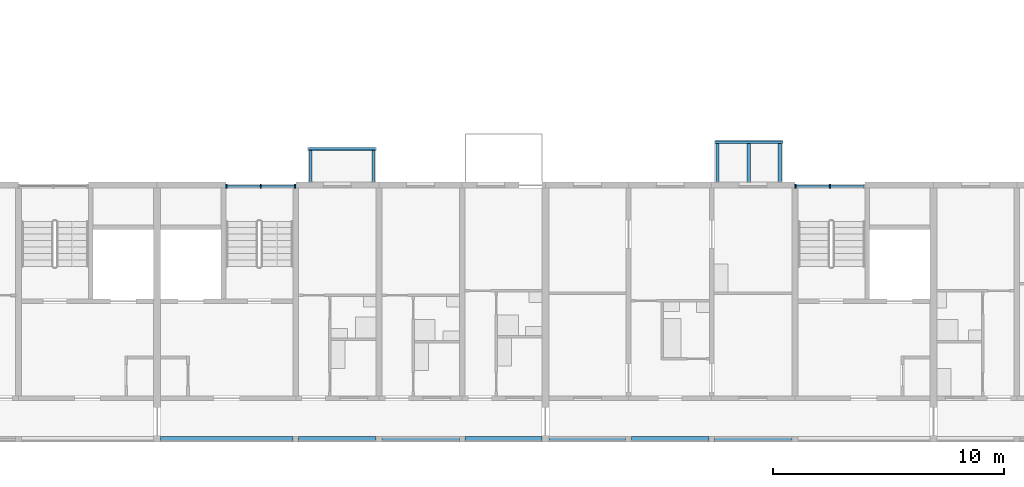
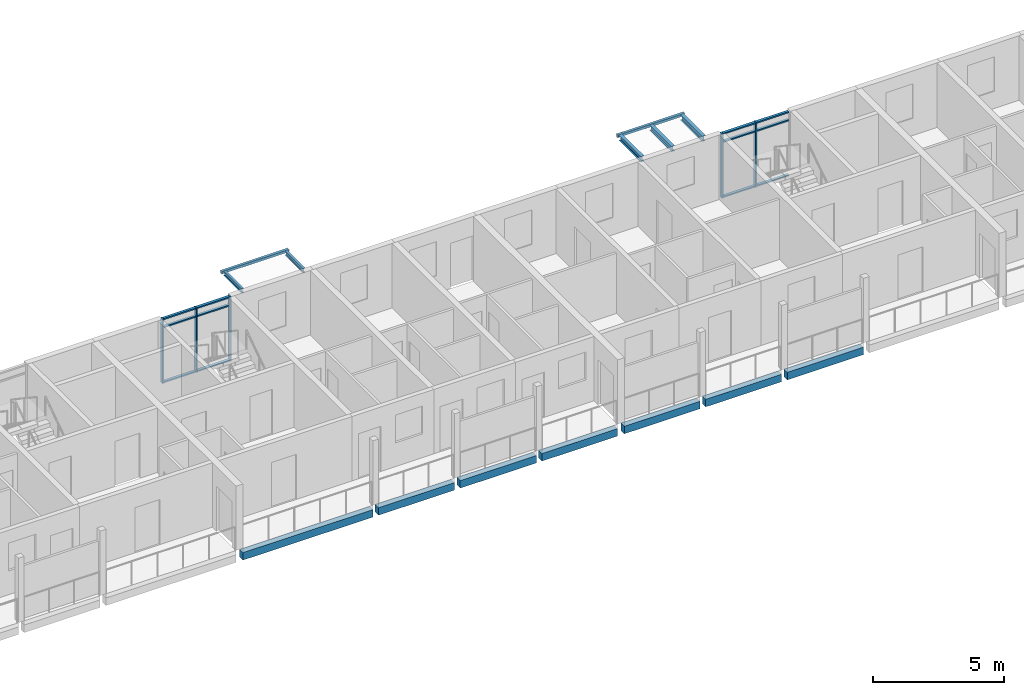
# One storey, part 6 of 99: 17 members, 14 beams, 2 elements without a shape of their own.
"""IFC4 building model written with IfcOpenShell, lengths in metres."""

from ifc_helpers import new_model, si_unit, direction, frame, origin, origin_2d, place, context, subcontext, project, spatial, rectangle, hollow_rectangle, i_section, extrude, material, material_profile, profile_set, type_object, element, aggregate, save


model = new_model("IFC4")

# Units and contexts
model_context = context("Model", 3, precision=1e-05, world=origin(), true_north=direction((0.0, 1.0)))
body_context = subcontext(model_context, "Body", "Model", "MODEL_VIEW")
ifc_project = project(units=[si_unit("LENGTHUNIT", "METRE"), si_unit("AREAUNIT", "SQUARE_METRE"), si_unit("VOLUMEUNIT", "CUBIC_METRE"), si_unit("PLANEANGLEUNIT", "RADIAN"), si_unit("MASSUNIT", "GRAM", prefix="KILO")], contexts=[model_context])

# Site, building, storey
site_placement = place(None, origin())
site = spatial("IfcSite", under=ifc_project, at=site_placement, CompositionType="ELEMENT")
building_placement = place(site_placement, origin())
building = spatial("IfcBuilding", under=site, at=building_placement, Name="Ridgestep Commons", CompositionType="ELEMENT")
storey_placement = place(building_placement, frame((0.0, 0.0, 15.0)))
storey = spatial("IfcBuildingStorey", under=building, at=storey_placement, Name="L05", CompositionType="ELEMENT", Elevation=15.0)

# Beams
ifc_material_1 = material(Name="Precast concrete C40/50", Category="concrete")
ifc_material_profile_1 = material_profile(ifc_material_1, rectangle(XDim=0.25, YDim=0.35009765625, at=origin_2d()), Name="PC 250x350")
ifc_profile_set_1 = profile_set([ifc_material_profile_1], Name="Precast concrete C40/50")
beam_type_1 = type_object("IfcBeamType", Name="Loggia edge beam 250 x 350", PredefinedType="SPANDREL", material=ifc_profile_set_1)
beam_1_placement = place(storey_placement, frame((45.75, 11.875, -0.375), z_axis=(1.0, 0.0, 0.0), x_axis=(0.0, 1.0, 0.0)))
element("IfcBeam", 1, at=beam_1_placement, inside=storey, type_object=beam_type_1, Name="Loggia edge beam A3C L05", PredefinedType="SPANDREL", context=body_context, shape_type="SweptSolid", body=[
    extrude(rectangle(XDim=0.25, YDim=0.35009765625, at=origin_2d()), origin(), (0.0, 0.0, 1.0), 5.72509765625),
])
beam_2_placement = place(storey_placement, frame((51.72509765625, 11.875, -0.375), z_axis=(1.0, 0.0, 0.0), x_axis=(0.0, 1.0, 0.0)))
element("IfcBeam", 2, at=beam_2_placement, inside=storey, type_object=beam_type_1, Name="Loggia edge beam A3T3 L05", PredefinedType="SPANDREL", context=body_context, shape_type="SweptSolid", body=[
    extrude(rectangle(XDim=0.25, YDim=0.35009765625, at=origin_2d()), origin(), (0.0, 0.0, 1.0), 3.349853515625),
])
beam_3_placement = place(storey_placement, frame((55.324951171875, 11.875, -0.375), z_axis=(1.0, 0.0, 0.0), x_axis=(0.0, 1.0, 0.0)))
element("IfcBeam", 3, at=beam_3_placement, inside=storey, type_object=beam_type_1, Name="Loggia edge beam A3T2 L05", PredefinedType="SPANDREL", context=body_context, shape_type="SweptSolid", body=[
    extrude(rectangle(XDim=0.25, YDim=0.35009765625, at=origin_2d()), origin(), (0.0, 0.0, 1.0), 3.35009765625),
])
for number, where, z_axis, x_axis, name in (
    (4, (58.925048828125, 11.875, -0.375), (1.0, 0.0, 0.0), (0.0, 1.0, 0.0), "Loggia edge beam A3T1 L05"),
    (5, (62.550048828125, 11.875, -0.375), (1.0, 0.0, 0.0), (0.0, 1.0, 0.0), "Loggia edge beam A4T1 L05"),
):
    element("IfcBeam", number, at=place(storey_placement, frame(where, z_axis=z_axis, x_axis=x_axis)), inside=storey, type_object=beam_type_1, Name=name, PredefinedType="SPANDREL", context=body_context, shape_type="SweptSolid", body=[
        extrude(rectangle(XDim=0.25, YDim=0.35009765625, at=origin_2d()), origin(), (0.0, 0.0, 1.0), 3.324951171875),
    ])
beam_4_placement = place(storey_placement, frame((66.125, 11.875, -0.375), z_axis=(1.0, 0.0, 0.0), x_axis=(0.0, 1.0, 0.0)))
element("IfcBeam", 6, at=beam_4_placement, inside=storey, type_object=beam_type_1, Name="Loggia edge beam A4T2 L05", PredefinedType="SPANDREL", context=body_context, shape_type="SweptSolid", body=[
    extrude(rectangle(XDim=0.25, YDim=0.35009765625, at=origin_2d()), origin(), (0.0, 0.0, 1.0), 3.35009765625),
])
beam_5_placement = place(storey_placement, frame((69.72509765625, 11.875, -0.375), z_axis=(1.0, 0.0, 0.0), x_axis=(0.0, 1.0, 0.0)))
element("IfcBeam", 7, at=beam_5_placement, inside=storey, type_object=beam_type_1, Name="Loggia edge beam A4T3 L05", PredefinedType="SPANDREL", context=body_context, shape_type="SweptSolid", body=[
    extrude(rectangle(XDim=0.25, YDim=0.35009765625, at=origin_2d()), origin(), (0.0, 0.0, 1.0), 3.349853515625),
])

# Curtain wall, members
ifc_material_2 = material(Name="Aluminium 6063-T6 and glass", Category="aluminium")
curtain_wall_type = type_object("IfcCurtainWallType", Name="Curtain wall stair strip", PredefinedType="NOTDEFINED", material=ifc_material_2)
curtain_wall_1_placement = place(storey_placement, origin())
curtain_wall_1 = element("IfcCurtainWall", 8, at=curtain_wall_1_placement, inside=storey, type_object=curtain_wall_type, Name="Curtain wall A3C level 05", PredefinedType="NOTDEFINED")
ifc_material_3 = material(Name="Aluminium 6063-T6", Category="aluminium")
ifc_material_profile_2 = material_profile(ifc_material_3, rectangle(XDim=0.159912109375, YDim=0.06005859375, at=origin_2d()), Name="Mullion 60 x 160")
ifc_profile_set_2 = profile_set([ifc_material_profile_2], Name="Aluminium 6063-T6")
member_type_1 = type_object("IfcMemberType", Name="Mullion 60 x 160", PredefinedType="MULLION", material=ifc_profile_set_2)
member_1_placement = place(storey_placement, frame((48.60498046875, 22.830078125, 0.0), z_axis=(0.0, 0.0, 1.0), x_axis=(0.0, 1.0, 0.0)))
member_1 = element("IfcMember", 9, at=member_1_placement, type_object=member_type_1, Name="CW1 mullion 1", PredefinedType="MULLION", context=body_context, shape_type="SweptSolid", body=[
    extrude(rectangle(XDim=0.159912109375, YDim=0.06005859375, at=origin_2d()), origin(), (0.0, 0.0, 1.0), 3.0),
])
member_2_placement = place(storey_placement, frame((50.08740234375, 22.830078125, 0.0), z_axis=(0.0, 0.0, 1.0), x_axis=(0.0, 1.0, 0.0)))
member_2 = element("IfcMember", 10, at=member_2_placement, type_object=member_type_1, Name="CW1 mullion 2", PredefinedType="MULLION", context=body_context, shape_type="SweptSolid", body=[
    extrude(rectangle(XDim=0.159912109375, YDim=0.06005859375, at=origin_2d()), origin(), (0.0, 0.0, 1.0), 3.0),
])
member_3_placement = place(storey_placement, frame((51.570068359375, 22.830078125, 0.0), z_axis=(0.0, 0.0, 1.0), x_axis=(0.0, 1.0, 0.0)))
member_3 = element("IfcMember", 11, at=member_3_placement, type_object=member_type_1, Name="CW1 mullion 3", PredefinedType="MULLION", context=body_context, shape_type="SweptSolid", body=[
    extrude(rectangle(XDim=0.159912109375, YDim=0.06005859375, at=origin_2d()), origin(), (0.0, 0.0, 1.0), 3.0),
])

curtain_wall_2_placement = place(storey_placement, origin())
curtain_wall_2 = element("IfcCurtainWall", 12, at=curtain_wall_2_placement, inside=storey, type_object=curtain_wall_type, Name="Curtain wall A4C level 05", PredefinedType="NOTDEFINED")
member_4_placement = place(storey_placement, frame((73.22998046875, 22.830078125, 0.0), z_axis=(0.0, 0.0, 1.0), x_axis=(0.0, 1.0, 0.0)))
member_4 = element("IfcMember", 13, at=member_4_placement, type_object=member_type_1, Name="CW1 mullion 1", PredefinedType="MULLION", context=body_context, shape_type="SweptSolid", body=[
    extrude(rectangle(XDim=0.159912109375, YDim=0.06005859375, at=origin_2d()), origin(), (0.0, 0.0, 1.0), 3.0),
])
member_5_placement = place(storey_placement, frame((74.71240234375, 22.830078125, 0.0), z_axis=(0.0, 0.0, 1.0), x_axis=(0.0, 1.0, 0.0)))
member_5 = element("IfcMember", 14, at=member_5_placement, type_object=member_type_1, Name="CW1 mullion 2", PredefinedType="MULLION", context=body_context, shape_type="SweptSolid", body=[
    extrude(rectangle(XDim=0.159912109375, YDim=0.06005859375, at=origin_2d()), origin(), (0.0, 0.0, 1.0), 3.0),
])

# Member
ifc_material_4 = material(Name="Aluminium 6063-T6", Category="aluminium")
ifc_material_profile_3 = material_profile(ifc_material_4, rectangle(XDim=0.1201171875, YDim=0.06005859375, at=origin_2d()), Name="Transom 60 x 120")
ifc_profile_set_3 = profile_set([ifc_material_profile_3], Name="Aluminium 6063-T6")
member_type_2 = type_object("IfcMemberType", Name="Transom 60 x 120", PredefinedType="USERDEFINED", material=ifc_profile_set_3)
member_6_placement = place(storey_placement, frame((48.635009765625, 22.830078125, 0.030029296875), z_axis=(1.0, 0.0, 0.0), x_axis=(0.0, 1.0, 0.0)))
member_6 = element("IfcMember", 15, at=member_6_placement, type_object=member_type_2, Name="CW1 transom 1.1", ObjectType="TRANSOM", PredefinedType="USERDEFINED", context=body_context, shape_type="SweptSolid", body=[
    extrude(rectangle(XDim=0.1201171875, YDim=0.06005859375, at=origin_2d()), origin(), (0.0, 0.0, 1.0), 1.422607421875),
])

member_7_placement = place(storey_placement, frame((48.635009765625, 22.830078125, 2.590087890625), z_axis=(1.0, 0.0, 0.0), x_axis=(0.0, 1.0, 0.0)))
member_7 = element("IfcMember", 16, at=member_7_placement, type_object=member_type_2, Name="CW1 transom 1.2", ObjectType="TRANSOM", PredefinedType="USERDEFINED", context=body_context, shape_type="SweptSolid", body=[
    extrude(rectangle(XDim=0.1201171875, YDim=0.06005859375, at=origin_2d()), origin(), (0.0, 0.0, 1.0), 1.422607421875),
])

member_8_placement = place(storey_placement, frame((48.635009765625, 22.830078125, 2.969970703125), z_axis=(1.0, 0.0, 0.0), x_axis=(0.0, 1.0, 0.0)))
member_8 = element("IfcMember", 17, at=member_8_placement, type_object=member_type_2, Name="CW1 transom 1.3", ObjectType="TRANSOM", PredefinedType="USERDEFINED", context=body_context, shape_type="SweptSolid", body=[
    extrude(rectangle(XDim=0.1201171875, YDim=0.06005859375, at=origin_2d()), origin(), (0.0, 0.0, 1.0), 1.422607421875),
])

member_9_placement = place(storey_placement, frame((50.117431640625, 22.830078125, 0.030029296875), z_axis=(1.0, 0.0, 0.0), x_axis=(0.0, 1.0, 0.0)))
member_9 = element("IfcMember", 18, at=member_9_placement, type_object=member_type_2, Name="CW1 transom 2.1", ObjectType="TRANSOM", PredefinedType="USERDEFINED", context=body_context, shape_type="SweptSolid", body=[
    extrude(rectangle(XDim=0.1201171875, YDim=0.06005859375, at=origin_2d()), origin(), (0.0, 0.0, 1.0), 1.422607421875),
])

member_10_placement = place(storey_placement, frame((50.117431640625, 22.830078125, 2.590087890625), z_axis=(1.0, 0.0, 0.0), x_axis=(0.0, 1.0, 0.0)))
member_10 = element("IfcMember", 19, at=member_10_placement, type_object=member_type_2, Name="CW1 transom 2.2", ObjectType="TRANSOM", PredefinedType="USERDEFINED", context=body_context, shape_type="SweptSolid", body=[
    extrude(rectangle(XDim=0.1201171875, YDim=0.06005859375, at=origin_2d()), origin(), (0.0, 0.0, 1.0), 1.422607421875),
])

member_11_placement = place(storey_placement, frame((50.117431640625, 22.830078125, 2.969970703125), z_axis=(1.0, 0.0, 0.0), x_axis=(0.0, 1.0, 0.0)))
member_11 = element("IfcMember", 20, at=member_11_placement, type_object=member_type_2, Name="CW1 transom 2.3", ObjectType="TRANSOM", PredefinedType="USERDEFINED", context=body_context, shape_type="SweptSolid", body=[
    extrude(rectangle(XDim=0.1201171875, YDim=0.06005859375, at=origin_2d()), origin(), (0.0, 0.0, 1.0), 1.422607421875),
])

aggregate(curtain_wall_1, [member_1, member_2, member_3, member_6, member_7, member_8, member_9, member_10, member_11])

member_12_placement = place(storey_placement, frame((73.260009765625, 22.830078125, 0.030029296875), z_axis=(1.0, 0.0, 0.0), x_axis=(0.0, 1.0, 0.0)))
member_12 = element("IfcMember", 21, at=member_12_placement, type_object=member_type_2, Name="CW1 transom 1.1", ObjectType="TRANSOM", PredefinedType="USERDEFINED", context=body_context, shape_type="SweptSolid", body=[
    extrude(rectangle(XDim=0.1201171875, YDim=0.06005859375, at=origin_2d()), origin(), (0.0, 0.0, 1.0), 1.422607421875),
])

member_13_placement = place(storey_placement, frame((73.260009765625, 22.830078125, 2.590087890625), z_axis=(1.0, 0.0, 0.0), x_axis=(0.0, 1.0, 0.0)))
member_13 = element("IfcMember", 22, at=member_13_placement, type_object=member_type_2, Name="CW1 transom 1.2", ObjectType="TRANSOM", PredefinedType="USERDEFINED", context=body_context, shape_type="SweptSolid", body=[
    extrude(rectangle(XDim=0.1201171875, YDim=0.06005859375, at=origin_2d()), origin(), (0.0, 0.0, 1.0), 1.422607421875),
])

member_14_placement = place(storey_placement, frame((73.260009765625, 22.830078125, 2.969970703125), z_axis=(1.0, 0.0, 0.0), x_axis=(0.0, 1.0, 0.0)))
member_14 = element("IfcMember", 23, at=member_14_placement, type_object=member_type_2, Name="CW1 transom 1.3", ObjectType="TRANSOM", PredefinedType="USERDEFINED", context=body_context, shape_type="SweptSolid", body=[
    extrude(rectangle(XDim=0.1201171875, YDim=0.06005859375, at=origin_2d()), origin(), (0.0, 0.0, 1.0), 1.422607421875),
])

member_15_placement = place(storey_placement, frame((74.742431640625, 22.830078125, 0.030029296875), z_axis=(1.0, 0.0, 0.0), x_axis=(0.0, 1.0, 0.0)))
member_15 = element("IfcMember", 24, at=member_15_placement, type_object=member_type_2, Name="CW1 transom 2.1", ObjectType="TRANSOM", PredefinedType="USERDEFINED", context=body_context, shape_type="SweptSolid", body=[
    extrude(rectangle(XDim=0.1201171875, YDim=0.06005859375, at=origin_2d()), origin(), (0.0, 0.0, 1.0), 1.422607421875),
])

member_16_placement = place(storey_placement, frame((74.742431640625, 22.830078125, 2.590087890625), z_axis=(1.0, 0.0, 0.0), x_axis=(0.0, 1.0, 0.0)))
member_16 = element("IfcMember", 25, at=member_16_placement, type_object=member_type_2, Name="CW1 transom 2.2", ObjectType="TRANSOM", PredefinedType="USERDEFINED", context=body_context, shape_type="SweptSolid", body=[
    extrude(rectangle(XDim=0.1201171875, YDim=0.06005859375, at=origin_2d()), origin(), (0.0, 0.0, 1.0), 1.422607421875),
])

member_17_placement = place(storey_placement, frame((74.742431640625, 22.830078125, 2.969970703125), z_axis=(1.0, 0.0, 0.0), x_axis=(0.0, 1.0, 0.0)))
member_17 = element("IfcMember", 26, at=member_17_placement, type_object=member_type_2, Name="CW1 transom 2.3", ObjectType="TRANSOM", PredefinedType="USERDEFINED", context=body_context, shape_type="SweptSolid", body=[
    extrude(rectangle(XDim=0.1201171875, YDim=0.06005859375, at=origin_2d()), origin(), (0.0, 0.0, 1.0), 1.422607421875),
])

aggregate(curtain_wall_2, [member_4, member_5, member_12, member_13, member_14, member_15, member_16, member_17])

# Beams
ifc_material_5 = material(Name="Weathering steel S355J2W", Category="steel")
ifc_material_profile_4 = material_profile(ifc_material_5, i_section(OverallWidth=0.101806640625, OverallDepth=0.203125, WebThickness=0.00537109375, FlangeThickness=0.00927734375, FilletRadius=0.007568359375, at=origin_2d()), Name="UB 203x102x23")
ifc_profile_set_4 = profile_set([ifc_material_profile_4], Name="Weathering steel S355J2W")
beam_type_2 = type_object("IfcBeamType", Name="Tray arm UB 203x102x23", PredefinedType="BEAM", material=ifc_profile_set_4)
for number, where, z_axis, x_axis, name in (
    (27, (52.25, 23.014892578125, 2.888427734375), (0.0, 1.0, 0.0), (-1.0, 0.0, 0.0), "Tray arm A3T3-06.1"),
    (28, (54.949951171875, 23.014892578125, 2.888427734375), (0.0, 1.0, 0.0), (-1.0, 0.0, 0.0), "Tray arm A3T3-06.2"),
):
    element("IfcBeam", number, at=place(storey_placement, frame(where, z_axis=z_axis, x_axis=x_axis)), inside=storey, type_object=beam_type_2, Name=name, PredefinedType="BEAM", context=body_context, shape_type="SweptSolid", body=[
        extrude(i_section(OverallWidth=0.101806640625, OverallDepth=0.203125, WebThickness=0.00537109375, FlangeThickness=0.00927734375, FilletRadius=0.007568359375, at=origin_2d()), origin(), (0.0, 0.0, 1.0), 1.364990234375),
    ])
ifc_material_6 = material(Name="Weathering steel S355J2W", Category="steel")
ifc_material_profile_5 = material_profile(ifc_material_6, i_section(OverallWidth=0.14599609375, OverallDepth=0.25146484375, WebThickness=0.006103515625, FlangeThickness=0.008544921875, FilletRadius=0.007568359375, at=origin_2d()), Name="UB 254x146x31")
ifc_profile_set_5 = profile_set([ifc_material_profile_5], Name="Weathering steel S355J2W")
beam_type_3 = type_object("IfcBeamType", Name="Tray arm UB 254x146x31", PredefinedType="BEAM", material=ifc_profile_set_5)
for number, where, z_axis, x_axis, name in (
    (29, (69.85009765625, 23.014892578125, 2.8642578125), (0.0, 1.0, 0.0), (-1.0, 0.0, 0.0), "Tray arm A4T3-06.1"),
    (30, (71.199951171875, 23.014892578125, 2.8642578125), (0.0, 1.0, 0.0), (-1.0, 0.0, 0.0), "Tray arm A4T3-06.2"),
    (31, (72.550048828125, 23.014892578125, 2.8642578125), (0.0, 1.0, 0.0), (-1.0, 0.0, 0.0), "Tray arm A4T3-06.3"),
):
    element("IfcBeam", number, at=place(storey_placement, frame(where, z_axis=z_axis, x_axis=x_axis)), inside=storey, type_object=beam_type_3, Name=name, PredefinedType="BEAM", context=body_context, shape_type="SweptSolid", body=[
        extrude(i_section(OverallWidth=0.14599609375, OverallDepth=0.25146484375, WebThickness=0.006103515625, FlangeThickness=0.008544921875, FilletRadius=0.007568359375, at=origin_2d()), origin(), (0.0, 0.0, 1.0), 1.6650390625),
    ])
ifc_material_7 = material(Name="Weathering steel S355J2W", Category="steel")
ifc_material_profile_6 = material_profile(ifc_material_7, hollow_rectangle(XDim=0.1201171875, YDim=0.1201171875, WallThickness=0.00634765625, InnerFilletRadius=0.00634765625, OuterFilletRadius=0.009521484375, at=origin_2d()), Name="SHS 120x120x6.3")
ifc_profile_set_6 = profile_set([ifc_material_profile_6], Name="Weathering steel S355J2W")
beam_type_4 = type_object("IfcBeamType", Name="Tray edge member SHS 120x120x6.3", PredefinedType="BEAM", material=ifc_profile_set_6)
beam_6_placement = place(storey_placement, frame((69.72998046875, 24.739990234375, 2.929931640625), z_axis=(1.0, 0.0, 0.0), x_axis=(0.0, 0.0, 1.0)))
element("IfcBeam", 32, at=beam_6_placement, inside=storey, type_object=beam_type_4, Name="Tray edge member A4T3-06", PredefinedType="BEAM", context=body_context, shape_type="SweptSolid", body=[
    extrude(hollow_rectangle(XDim=0.1201171875, YDim=0.1201171875, WallThickness=0.00634765625, InnerFilletRadius=0.00634765625, OuterFilletRadius=0.009521484375, at=origin_2d()), origin(), (0.0, 0.0, 1.0), 2.93994140625),
])
beam_7_placement = place(storey_placement, frame((52.1298828125, 24.43994140625, 2.929931640625), z_axis=(1.0, 0.0, 0.0), x_axis=(0.0, 0.0, 1.0)))
element("IfcBeam", 33, at=beam_7_placement, inside=storey, type_object=beam_type_4, Name="Tray edge member A3T3-06", PredefinedType="BEAM", context=body_context, shape_type="SweptSolid", body=[
    extrude(hollow_rectangle(XDim=0.1201171875, YDim=0.1201171875, WallThickness=0.00634765625, InnerFilletRadius=0.00634765625, OuterFilletRadius=0.009521484375, at=origin_2d()), origin(), (0.0, 0.0, 1.0), 2.940185546875),
])

save(model, "model.ifc")
